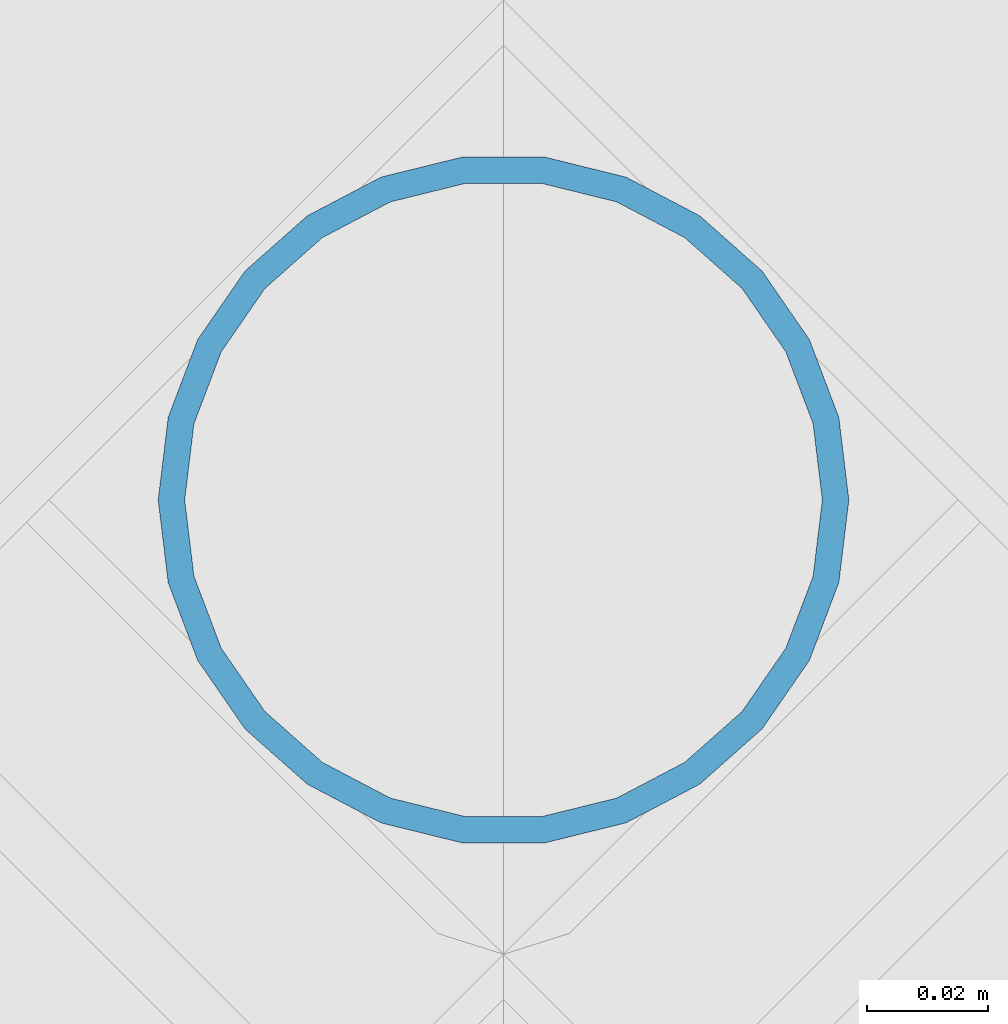
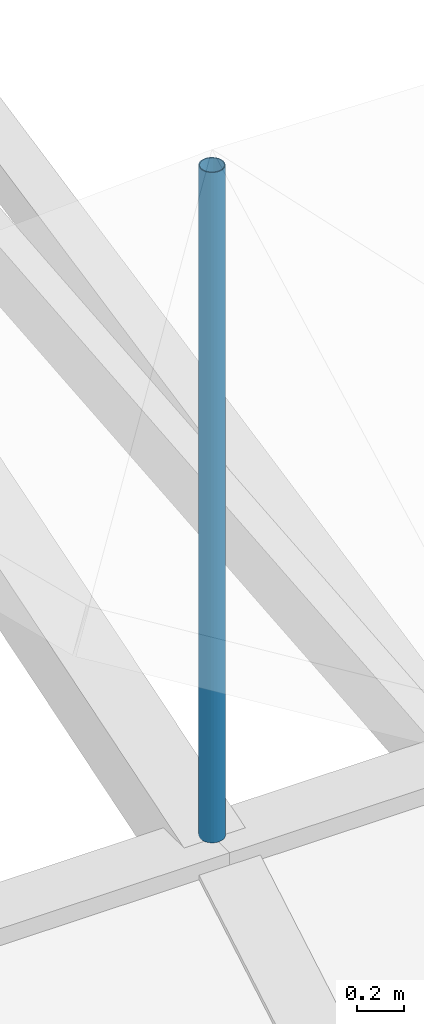
# One storey, part 41 of 111: 1 discrete accessory.
"""IFC4 building model written with IfcOpenShell, lengths in metres."""

from ifc_helpers import new_model, si_unit, direction, frame, origin, origin_2d, place, context, subcontext, project, spatial, hollow_circle, extrude, material, material_profile, profile_set, type_object, element, save


model = new_model("IFC4")

# Units and contexts
model_context = context("Model", 3, precision=1e-05, world=origin(), true_north=direction((0.0, 1.0)))
body_context = subcontext(model_context, "Body", "Model", "MODEL_VIEW")
ifc_project = project(units=[si_unit("LENGTHUNIT", "METRE"), si_unit("AREAUNIT", "SQUARE_METRE"), si_unit("VOLUMEUNIT", "CUBIC_METRE"), si_unit("PLANEANGLEUNIT", "RADIAN"), si_unit("MASSUNIT", "GRAM", prefix="KILO")], contexts=[model_context])

# Site, building, storey
site_placement = place(None, origin())
site = spatial("IfcSite", under=ifc_project, at=site_placement, CompositionType="ELEMENT")
building_placement = place(site_placement, origin())
building = spatial("IfcBuilding", under=site, at=building_placement, Name="Rain Tree Exposition and Congress Centre", CompositionType="ELEMENT")
storey_placement = place(building_placement, frame((0.0, 0.0, 19.5)))
storey = spatial("IfcBuildingStorey", under=building, at=storey_placement, Name="RF", CompositionType="ELEMENT", Elevation=19.5)

# Discrete accessory
ifc_material = material(Name="Steel S355J2H", Category="steel")
ifc_material_profile = material_profile(ifc_material, hollow_circle(Radius=0.05712890625, WallThickness=0.00439453125, at=origin_2d()), Name="CHS 114x4.5")
ifc_profile_set = profile_set([ifc_material_profile], Name="Steel S355J2H")
discrete_accessory_type = type_object("IfcDiscreteAccessoryType", Name="Roof skin post CHS 114x4.5", PredefinedType="BRACKET", material=ifc_profile_set)
discrete_accessory_placement = place(storey_placement, frame((151.199951171875, 109.199951171875, 5.39404296875), z_axis=(0.0, 0.0, 1.0), x_axis=(1.0, 0.0, 0.0)))
element("IfcDiscreteAccessory", 1, at=discrete_accessory_placement, inside=storey, type_object=discrete_accessory_type, Name="Roof skin post B15", PredefinedType="BRACKET", context=body_context, shape_type="SweptSolid", body=[
    extrude(hollow_circle(Radius=0.05712890625, WallThickness=0.00439453125, at=origin_2d()), origin(), (0.0, 0.0, 1.0), 3.46923828125),
])

save(model, "model.ifc")
